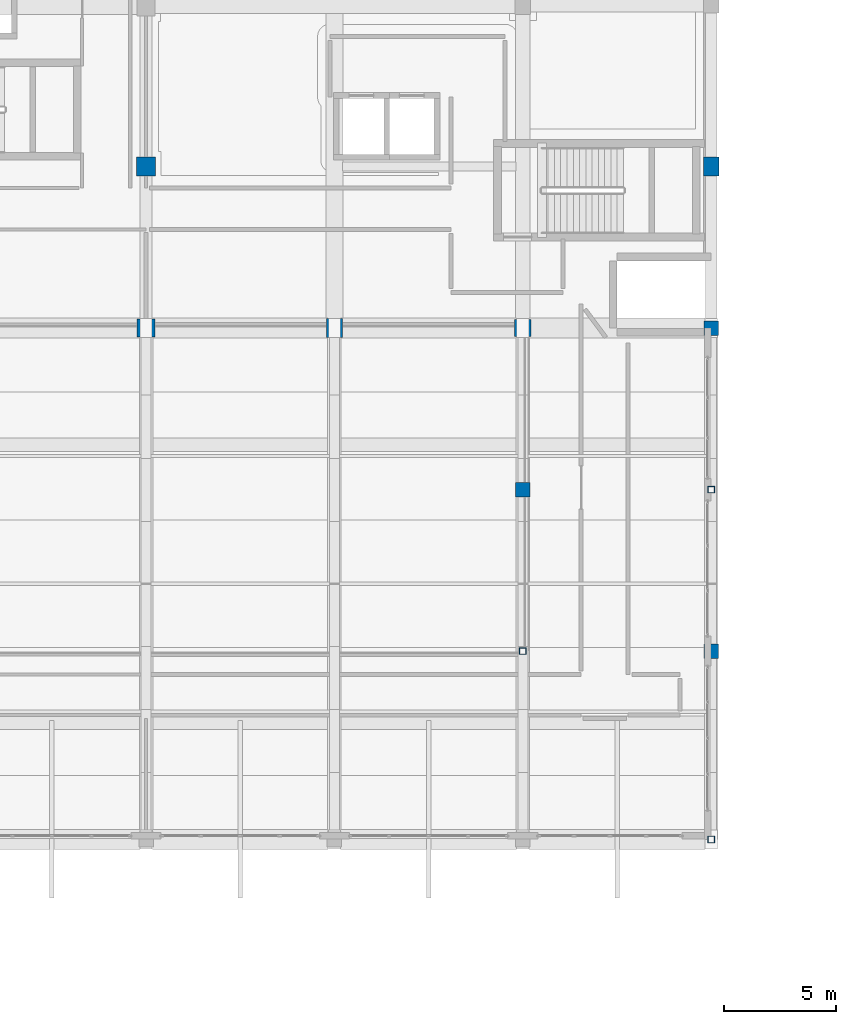
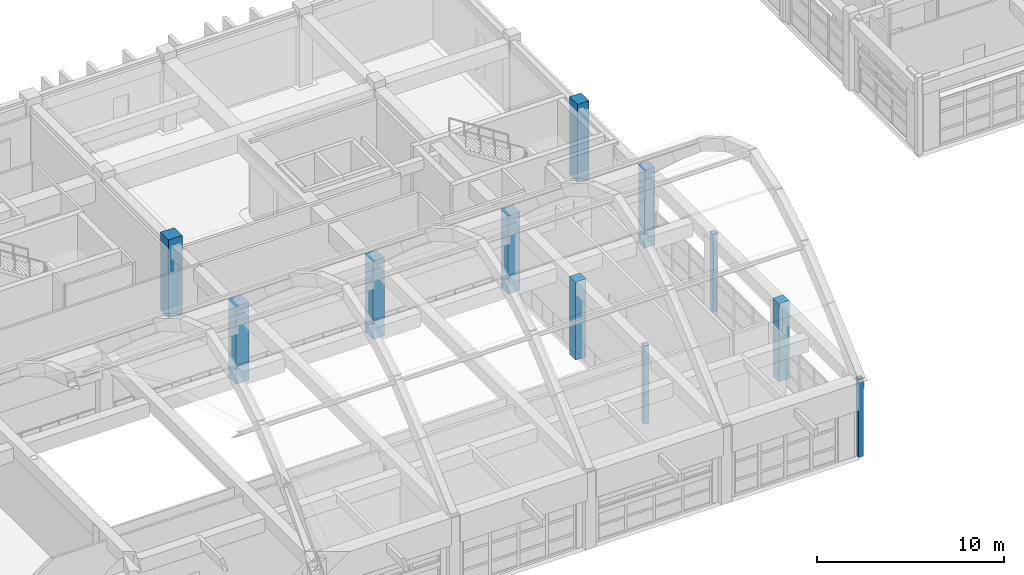
# One storey, part 8 of 103: 11 columns.
"""IFC4 building model written with IfcOpenShell, lengths in metres."""

from ifc_helpers import new_model, si_unit, direction, frame, origin, origin_2d, place, context, subcontext, project, spatial, rectangle, hollow_rectangle, extrude, material, material_profile, profile_set, type_object, element, save


model = new_model("IFC4")

# Units and contexts
model_context = context("Model", 3, precision=1e-05, world=origin(), true_north=direction((0.0, 1.0)))
body_context = subcontext(model_context, "Body", "Model", "MODEL_VIEW")
ifc_project = project(units=[si_unit("LENGTHUNIT", "METRE"), si_unit("AREAUNIT", "SQUARE_METRE"), si_unit("VOLUMEUNIT", "CUBIC_METRE"), si_unit("PLANEANGLEUNIT", "RADIAN"), si_unit("MASSUNIT", "GRAM", prefix="KILO")], contexts=[model_context])

# Site, building, storey
site_placement = place(None, origin())
site = spatial("IfcSite", under=ifc_project, at=site_placement, CompositionType="ELEMENT")
building_placement = place(site_placement, origin())
building = spatial("IfcBuilding", under=site, at=building_placement, Name="Quendrovan Civic Courthouse", CompositionType="ELEMENT")
storey_placement = place(building_placement, frame((0.0, 0.0, 15.300048828125)))
storey = spatial("IfcBuildingStorey", under=building, at=storey_placement, Name="L04", CompositionType="ELEMENT", Elevation=15.300048828125)

# Columns
ifc_material_1 = material(Name="Concrete C40/50", Category="concrete")
ifc_material_profile_1 = material_profile(ifc_material_1, rectangle(XDim=0.699951171875, YDim=0.85009765625, at=origin_2d()), Name="RC-COL-700x850")
ifc_profile_set_1 = profile_set([ifc_material_profile_1], Name="Concrete C40/50")
column_type_1 = type_object("IfcColumnType", Name="COL-RC-700x850", PredefinedType="COLUMN", material=ifc_profile_set_1)
for number, where, z_axis, x_axis, name in (
    (1, (75.60009765625, 87.60009765625, 0.0), (0.0, 0.0, 1.0), (1.0, 0.0, 0.0), "L04 Column 10-M"),
    (2, (92.39990234375, 94.800048828125, 0.0), (0.0, 0.0, 1.0), (1.0, 0.0, 0.0), "L04 Column 12-N"),
):
    element("IfcColumn", number, at=place(storey_placement, frame(where, z_axis=z_axis, x_axis=x_axis)), inside=storey, type_object=column_type_1, Name=name, PredefinedType="COLUMN", context=body_context, shape_type="SweptSolid", body=[
        extrude(rectangle(XDim=0.699951171875, YDim=0.85009765625, at=origin_2d()), origin(), (0.0, 0.0, 1.0), 5.099853515625),
    ])
ifc_material_2 = material(Name="Concrete C45/55", Category="concrete")
ifc_material_profile_2 = material_profile(ifc_material_2, rectangle(XDim=0.64990234375, YDim=0.64990234375, at=origin_2d()), Name="RC-COL-650x650")
ifc_profile_set_2 = profile_set([ifc_material_profile_2], Name="Concrete C45/55")
column_type_2 = type_object("IfcColumnType", Name="COL-RC650", PredefinedType="COLUMN", material=ifc_profile_set_2)
for number, where, z_axis, x_axis, name in (
    (3, (84.0, 80.39990234375, 0.0), (0.0, 0.0, 1.0), (1.0, 0.0, 0.0), "L04 Column 11-L"),
    (4, (92.39990234375, 73.199951171875, 0.0), (0.0, 0.0, 1.0), (1.0, 0.0, 0.0), "L04 Column 12-K"),
    (5, (92.39990234375, 87.60009765625, 0.0), (0.0, 0.0, 1.0), (1.0, 0.0, 0.0), "L04 Column 12-M"),
):
    element("IfcColumn", number, at=place(storey_placement, frame(where, z_axis=z_axis, x_axis=x_axis)), inside=storey, type_object=column_type_2, Name=name, PredefinedType="COLUMN", context=body_context, shape_type="SweptSolid", body=[
        extrude(rectangle(XDim=0.64990234375, YDim=0.64990234375, at=origin_2d()), origin(), (0.0, 0.0, 1.0), 5.099853515625),
    ])
ifc_material_profile_3 = material_profile(ifc_material_2, rectangle(XDim=0.75, YDim=0.75, at=origin_2d()), Name="RC-COL-750x750")
ifc_profile_set_3 = profile_set([ifc_material_profile_3], Name="Concrete C45/55")
column_type_3 = type_object("IfcColumnType", Name="COL-RC750", PredefinedType="COLUMN", material=ifc_profile_set_3)
column_1_placement = place(storey_placement, frame((84.0, 87.60009765625, 0.0), z_axis=(0.0, 0.0, 1.0), x_axis=(1.0, 0.0, 0.0)))
element("IfcColumn", 6, at=column_1_placement, inside=storey, type_object=column_type_3, Name="L04 Column 11-M", PredefinedType="COLUMN", context=body_context, shape_type="SweptSolid", body=[
    extrude(rectangle(XDim=0.75, YDim=0.75, at=origin_2d()), origin(), (0.0, 0.0, 1.0), 5.099853515625),
])
ifc_material_profile_4 = material_profile(ifc_material_2, rectangle(XDim=0.800048828125, YDim=0.800048828125, at=origin_2d()), Name="RC-COL-800x800")
ifc_profile_set_4 = profile_set([ifc_material_profile_4], Name="Concrete C45/55")
column_type_4 = type_object("IfcColumnType", Name="COL-RC800", PredefinedType="COLUMN", material=ifc_profile_set_4)
column_2_placement = place(storey_placement, frame((67.199951171875, 87.60009765625, 0.0), z_axis=(0.0, 0.0, 1.0), x_axis=(1.0, 0.0, 0.0)))
element("IfcColumn", 7, at=column_2_placement, inside=storey, type_object=column_type_4, Name="L04 Column 9-M", PredefinedType="COLUMN", context=body_context, shape_type="SweptSolid", body=[
    extrude(rectangle(XDim=0.800048828125, YDim=0.800048828125, at=origin_2d()), origin(), (0.0, 0.0, 1.0), 5.099853515625),
])
ifc_material_profile_5 = material_profile(ifc_material_2, rectangle(XDim=0.85009765625, YDim=0.85009765625, at=origin_2d()), Name="RC-COL-850x850")
ifc_profile_set_5 = profile_set([ifc_material_profile_5], Name="Concrete C45/55")
column_type_5 = type_object("IfcColumnType", Name="COL-RC850", PredefinedType="COLUMN", material=ifc_profile_set_5)
column_3_placement = place(storey_placement, frame((67.199951171875, 94.800048828125, 0.0), z_axis=(0.0, 0.0, 1.0), x_axis=(1.0, 0.0, 0.0)))
element("IfcColumn", 8, at=column_3_placement, inside=storey, type_object=column_type_5, Name="L04 Column 9-N", PredefinedType="COLUMN", context=body_context, shape_type="SweptSolid", body=[
    extrude(rectangle(XDim=0.85009765625, YDim=0.85009765625, at=origin_2d()), origin(), (0.0, 0.0, 1.0), 5.099853515625),
])
ifc_material_3 = material(Name="Steel ASTM A500 Grade C", Category="steel")
ifc_material_profile_6 = material_profile(ifc_material_3, hollow_rectangle(XDim=0.300048828125, YDim=0.300048828125, WallThickness=0.011962890625, at=origin_2d()), Name="HSS300x300x12")
ifc_profile_set_6 = profile_set([ifc_material_profile_6], Name="Steel ASTM A500 Grade C")
column_type_6 = type_object("IfcColumnType", Name="COL-STL-HSS300S", PredefinedType="COLUMN", material=ifc_profile_set_6)
for number, where, z_axis, x_axis, name in (
    (9, (84.0, 73.199951171875, 0.0), (0.0, 0.0, 1.0), (1.0, 0.0, 0.0), "L04 Column 11-K"),
    (10, (92.39990234375, 64.800048828125, 0.0), (0.0, 0.0, 1.0), (1.0, 0.0, 0.0), "L04 Column 12-J"),
    (11, (92.39990234375, 80.39990234375, 0.0), (0.0, 0.0, 1.0), (1.0, 0.0, 0.0), "L04 Column 12-L"),
):
    element("IfcColumn", number, at=place(storey_placement, frame(where, z_axis=z_axis, x_axis=x_axis)), inside=storey, type_object=column_type_6, Name=name, PredefinedType="COLUMN", context=body_context, shape_type="SweptSolid", body=[
        extrude(hollow_rectangle(XDim=0.300048828125, YDim=0.300048828125, WallThickness=0.011962890625, at=origin_2d()), origin(), (0.0, 0.0, 1.0), 5.099853515625),
    ])

save(model, "model.ifc")
